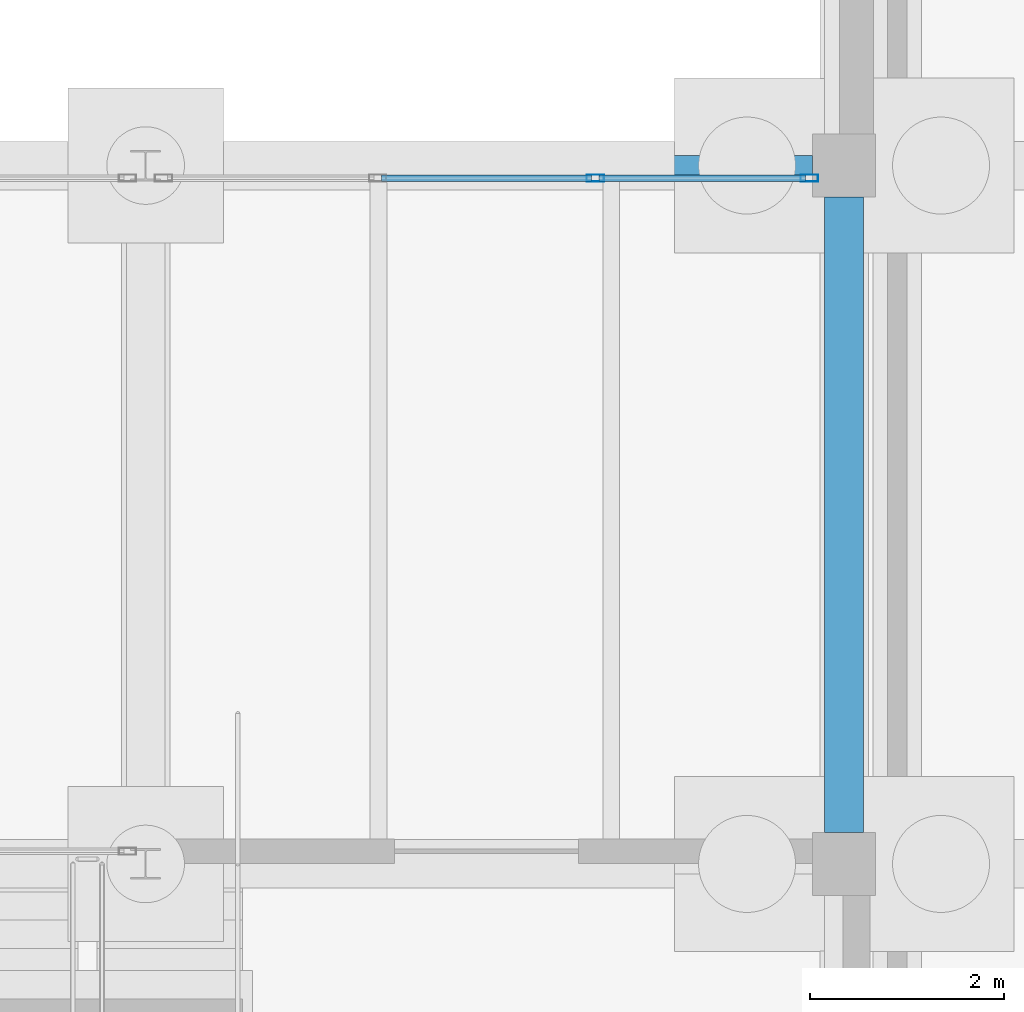
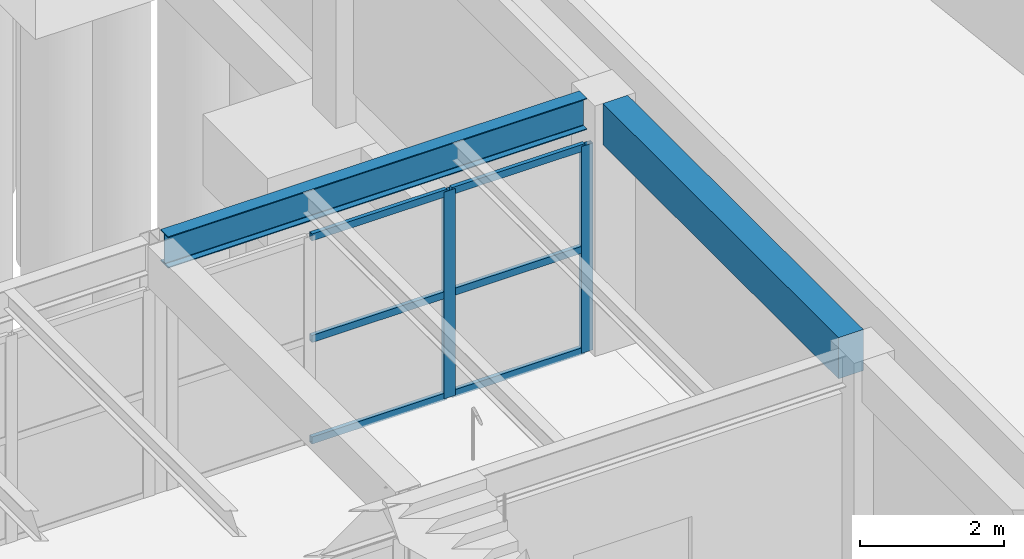
# One storey, part 14 of 28: 8 members, 2 beams, 1 element without a shape of its own.
"""IFC4 building model written with IfcOpenShell, lengths in metres."""

from ifc_helpers import new_model, si_unit, direction, frame, origin, origin_2d, place, context, subcontext, project, spatial, rectangle, hollow_rectangle, i_section, extrude, material, material_profile, profile_set, type_object, element, aggregate, save


model = new_model("IFC4")

# Units and contexts
model_context = context("Model", 3, precision=1e-05, world=origin(), true_north=direction((0.0, 1.0)))
body_context = subcontext(model_context, "Body", "Model", "MODEL_VIEW")
ifc_project = project(units=[si_unit("LENGTHUNIT", "METRE"), si_unit("AREAUNIT", "SQUARE_METRE"), si_unit("VOLUMEUNIT", "CUBIC_METRE"), si_unit("PLANEANGLEUNIT", "RADIAN"), si_unit("MASSUNIT", "GRAM", prefix="KILO")], contexts=[model_context])

# Site, building, storey
site_placement = place(None, origin())
site = spatial("IfcSite", under=ifc_project, at=site_placement, CompositionType="ELEMENT")
building_placement = place(site_placement, origin())
building = spatial("IfcBuilding", under=site, at=building_placement, Name="Bramvelor Terrace Health Centre", CompositionType="ELEMENT")
storey_placement = place(building_placement, frame((0.0, 0.0, -4.5)))
storey = spatial("IfcBuildingStorey", under=building, at=storey_placement, Name="B1", CompositionType="ELEMENT", Elevation=-4.5)

# Beams
ifc_material_1 = material(Name="Concrete C40/50", Category="concrete")
ifc_material_profile_1 = material_profile(ifc_material_1, rectangle(XDim=0.39990234375, YDim=0.699951171875, at=origin_2d()), Name="RC 400x700")
ifc_profile_set_1 = profile_set([ifc_material_profile_1], Name="Concrete C40/50")
beam_type_1 = type_object("IfcBeamType", Name="BM-RC-G700", PredefinedType="BEAM", material=ifc_profile_set_1)
beam_1_placement = place(storey_placement, frame((43.199951171875, 50.72509765625, 3.89990234375), z_axis=(0.0, 1.0, 0.0), x_axis=(-1.0, 0.0, 0.0)))
element("IfcBeam", 1, at=beam_1_placement, inside=storey, type_object=beam_type_1, Name="B1 Floor Girder", PredefinedType="BEAM", context=body_context, shape_type="SweptSolid", body=[
    extrude(rectangle(XDim=0.39990234375, YDim=0.699951171875, at=origin_2d()), origin(), (0.0, 0.0, 1.0), 6.5498046875),
])
ifc_material_2 = material(Name="Steel S355J2", Category="steel")
ifc_material_profile_2 = material_profile(ifc_material_2, i_section(OverallWidth=0.209228515625, OverallDepth=0.533203125, WebThickness=0.010009765625, FlangeThickness=0.015625, FilletRadius=0.0126953125, at=origin_2d()), Name="UB 533x210x92")
ifc_profile_set_2 = profile_set([ifc_material_profile_2], Name="Steel S355J2")
beam_type_2 = type_object("IfcBeamType", Name="BM-STL-UB533", PredefinedType="BEAM", material=ifc_profile_set_2)
beam_2_placement = place(storey_placement, frame((36.15380859375, 57.60009765625, 3.9833984375), z_axis=(1.0, 0.0, 0.0), x_axis=(0.0, 1.0, 0.0)))
element("IfcBeam", 2, at=beam_2_placement, inside=storey, type_object=beam_type_2, Name="B1 Floor Girder", PredefinedType="BEAM", context=body_context, shape_type="SweptSolid", body=[
    extrude(i_section(OverallWidth=0.209228515625, OverallDepth=0.533203125, WebThickness=0.010009765625, FlangeThickness=0.015625, FilletRadius=0.0126953125, at=origin_2d()), origin(), (0.0, 0.0, 1.0), 6.72119140625),
])

# Curtain wall, members
ifc_material_3 = material(Name="Anodized aluminium and double low-E glass", Category="aluminium")
curtain_wall_type = type_object("IfcCurtainWallType", Name="CW-SYS-01", PredefinedType="NOTDEFINED", material=ifc_material_3)
curtain_wall_placement = place(storey_placement, origin())
curtain_wall = element("IfcCurtainWall", 3, at=curtain_wall_placement, inside=storey, type_object=curtain_wall_type, Name="B1 Unitized Curtain Wall 2", PredefinedType="NOTDEFINED")
ifc_material_4 = material(Name="Anodized aluminium 6063-T6", Category="aluminium")
ifc_material_profile_3 = material_profile(ifc_material_4, hollow_rectangle(XDim=0.074951171875, YDim=0.179931640625, WallThickness=0.00341796875, at=origin_2d()), Name="ALU-MUL 75x180x3.5")
ifc_profile_set_3 = profile_set([ifc_material_profile_3], Name="Anodized aluminium 6063-T6")
member_type_1 = type_object("IfcMemberType", Name="CW-MUL-65x180", PredefinedType="MULLION", material=ifc_profile_set_3)
member_1_placement = place(storey_placement, frame((40.63623046875, 57.469970703125, 0.0), z_axis=(0.0, 0.0, 1.0), x_axis=(0.0, 1.0, 0.0)))
member_1 = element("IfcMember", 4, at=member_1_placement, type_object=member_type_1, Name="CW-01 mullion 3", PredefinedType="MULLION", context=body_context, shape_type="SweptSolid", body=[
    extrude(hollow_rectangle(XDim=0.074951171875, YDim=0.179931640625, WallThickness=0.00341796875, at=origin_2d()), origin(), (0.0, 0.0, 1.0), 3.510009765625),
])
member_2_placement = place(storey_placement, frame((42.842529296875, 57.469970703125, 0.0), z_axis=(0.0, 0.0, 1.0), x_axis=(0.0, 1.0, 0.0)))
member_2 = element("IfcMember", 5, at=member_2_placement, type_object=member_type_1, Name="CW-01 mullion 4", PredefinedType="MULLION", context=body_context, shape_type="SweptSolid", body=[
    extrude(hollow_rectangle(XDim=0.074951171875, YDim=0.179931640625, WallThickness=0.00341796875, at=origin_2d()), origin(), (0.0, 0.0, 1.0), 3.510009765625),
])
ifc_material_5 = material(Name="Anodized aluminium 6063-T6", Category="aluminium")
ifc_material_profile_4 = material_profile(ifc_material_5, hollow_rectangle(XDim=0.06494140625, YDim=0.1201171875, WallThickness=0.0029296875, at=origin_2d()), Name="ALU-TRN 65x120x3.0")
ifc_profile_set_4 = profile_set([ifc_material_profile_4], Name="Anodized aluminium 6063-T6")
member_type_2 = type_object("IfcMemberType", Name="CW-TRN-65x150", PredefinedType="USERDEFINED", material=ifc_profile_set_4)
member_3_placement = place(storey_placement, frame((38.429931640625, 57.469970703125, 0.032470703125), z_axis=(1.0, 0.0, 0.0), x_axis=(0.0, 1.0, 0.0)))
member_3 = element("IfcMember", 6, at=member_3_placement, type_object=member_type_2, Name="CW-01 transom 2.1", ObjectType="TRANSOM", PredefinedType="USERDEFINED", context=body_context, shape_type="SweptSolid", body=[
    extrude(hollow_rectangle(XDim=0.06494140625, YDim=0.1201171875, WallThickness=0.0029296875, at=origin_2d()), origin(), (0.0, 0.0, 1.0), 2.168701171875),
])
member_4_placement = place(storey_placement, frame((38.429931640625, 57.469970703125, 1.7548828125), z_axis=(1.0, 0.0, 0.0), x_axis=(0.0, 1.0, 0.0)))
member_4 = element("IfcMember", 7, at=member_4_placement, type_object=member_type_2, Name="CW-01 transom 2.2", ObjectType="TRANSOM", PredefinedType="USERDEFINED", context=body_context, shape_type="SweptSolid", body=[
    extrude(hollow_rectangle(XDim=0.06494140625, YDim=0.1201171875, WallThickness=0.0029296875, at=origin_2d()), origin(), (0.0, 0.0, 1.0), 2.168701171875),
])
member_5_placement = place(storey_placement, frame((38.429931640625, 57.469970703125, 3.4775390625), z_axis=(1.0, 0.0, 0.0), x_axis=(0.0, 1.0, 0.0)))
member_5 = element("IfcMember", 8, at=member_5_placement, type_object=member_type_2, Name="CW-01 transom 2.3", ObjectType="TRANSOM", PredefinedType="USERDEFINED", context=body_context, shape_type="SweptSolid", body=[
    extrude(hollow_rectangle(XDim=0.06494140625, YDim=0.1201171875, WallThickness=0.0029296875, at=origin_2d()), origin(), (0.0, 0.0, 1.0), 2.168701171875),
])
member_6_placement = place(storey_placement, frame((40.673828125, 57.469970703125, 0.032470703125), z_axis=(1.0, 0.0, 0.0), x_axis=(0.0, 1.0, 0.0)))
member_6 = element("IfcMember", 9, at=member_6_placement, type_object=member_type_2, Name="CW-01 transom 3.1", ObjectType="TRANSOM", PredefinedType="USERDEFINED", context=body_context, shape_type="SweptSolid", body=[
    extrude(hollow_rectangle(XDim=0.06494140625, YDim=0.1201171875, WallThickness=0.0029296875, at=origin_2d()), origin(), (0.0, 0.0, 1.0), 2.131103515625),
])
member_7_placement = place(storey_placement, frame((40.673828125, 57.469970703125, 1.7548828125), z_axis=(1.0, 0.0, 0.0), x_axis=(0.0, 1.0, 0.0)))
member_7 = element("IfcMember", 10, at=member_7_placement, type_object=member_type_2, Name="CW-01 transom 3.2", ObjectType="TRANSOM", PredefinedType="USERDEFINED", context=body_context, shape_type="SweptSolid", body=[
    extrude(hollow_rectangle(XDim=0.06494140625, YDim=0.1201171875, WallThickness=0.0029296875, at=origin_2d()), origin(), (0.0, 0.0, 1.0), 2.131103515625),
])
member_8_placement = place(storey_placement, frame((40.673828125, 57.469970703125, 3.4775390625), z_axis=(1.0, 0.0, 0.0), x_axis=(0.0, 1.0, 0.0)))
member_8 = element("IfcMember", 11, at=member_8_placement, type_object=member_type_2, Name="CW-01 transom 3.3", ObjectType="TRANSOM", PredefinedType="USERDEFINED", context=body_context, shape_type="SweptSolid", body=[
    extrude(hollow_rectangle(XDim=0.06494140625, YDim=0.1201171875, WallThickness=0.0029296875, at=origin_2d()), origin(), (0.0, 0.0, 1.0), 2.131103515625),
])
aggregate(curtain_wall, [member_1, member_2, member_3, member_4, member_5, member_6, member_7, member_8])

save(model, "model.ifc")
